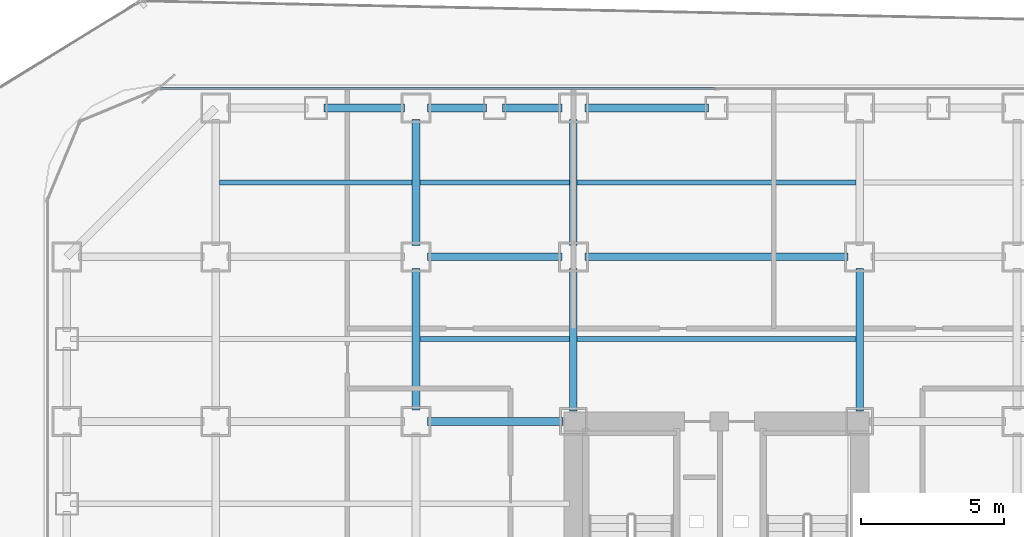
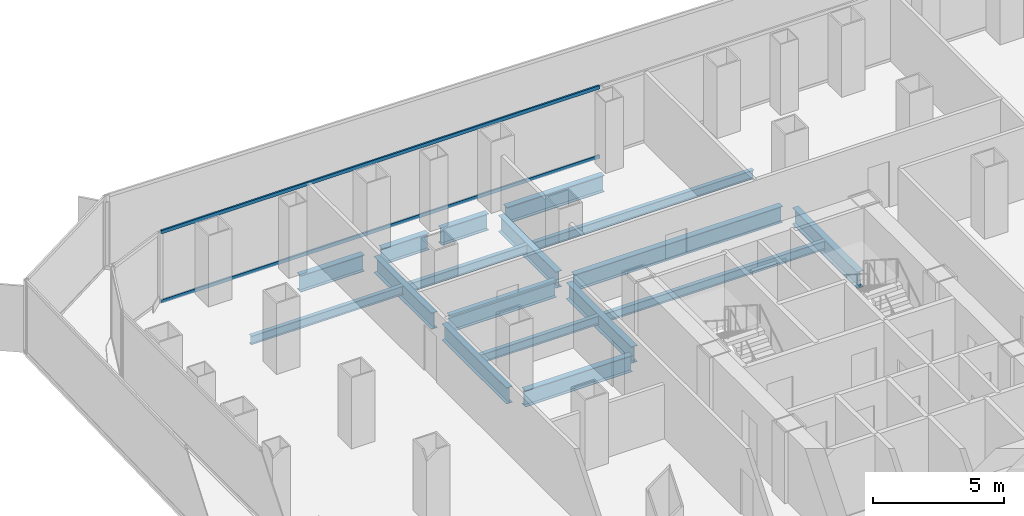
# One storey, part 12 of 21: 17 beams, 2 members, 1 element without a shape of its own.
"""IFC4 building model written with IfcOpenShell, lengths in metres."""

from ifc_helpers import new_model, si_unit, direction, frame, origin, origin_2d, place, context, subcontext, project, spatial, hollow_rectangle, i_section, extrude, source, transform, mapped, material, layer, layer_set, material_profile, profile_set, type_object, element, aggregate, save


model = new_model("IFC4")

# Units and contexts
model_context = context("Model", 3, precision=1e-05, world=origin(), true_north=direction((0.0, 1.0)))
body_context = subcontext(model_context, "Body", "Model", "MODEL_VIEW")
ifc_project = project(units=[si_unit("LENGTHUNIT", "METRE"), si_unit("AREAUNIT", "SQUARE_METRE"), si_unit("VOLUMEUNIT", "CUBIC_METRE"), si_unit("PLANEANGLEUNIT", "RADIAN"), si_unit("MASSUNIT", "GRAM", prefix="KILO")], contexts=[model_context])

# Site, building, storey
site_placement = place(None, origin())
site = spatial("IfcSite", under=ifc_project, at=site_placement, CompositionType="ELEMENT")
building_placement = place(site_placement, origin())
building = spatial("IfcBuilding", under=site, at=building_placement, Name="Kolveth Station Tower", CompositionType="ELEMENT")
storey_placement = place(building_placement, frame((0.0, 0.0, 44.10009765625)))
storey = spatial("IfcBuildingStorey", under=building, at=storey_placement, Name="L11", CompositionType="ELEMENT", Elevation=44.10009765625)

# Beams
ifc_material_1 = material(Name="Steel S355", Category="steel")
ifc_material_profile_1 = material_profile(ifc_material_1, i_section(OverallWidth=0.26904296875, OverallDepth=0.77490234375, WebThickness=0.01708984375, FlangeThickness=0.0283203125, at=origin_2d()), Name="W760x220")
ifc_profile_set_1 = profile_set([ifc_material_profile_1], Name="Steel S355")
beam_type_1 = type_object("IfcBeamType", Name="Beam_SP1", PredefinedType="SPANDREL", material=ifc_profile_set_1)
shared_shape_1 = source(origin(), body_context, "Body", "SweptSolid", [
    extrude(i_section(OverallWidth=0.26904296875, OverallDepth=0.77490234375, WebThickness=0.01708984375, FlangeThickness=0.0283203125, at=origin_2d()), origin(), (0.0, 0.0, 1.0), 2.820068359375),
])
beam_1_placement = place(storey_placement, frame((9.780029296875, 39.699951171875, -0.66748046875), z_axis=(1.0, 0.0, 0.0), x_axis=(0.0, 1.0, 0.0)))
element("IfcBeam", 1, at=beam_1_placement, inside=storey, type_object=beam_type_1, Name="L11 Perimeter Spandrel BM-L11-PN-2", PredefinedType="SPANDREL", context=body_context, shape_type="MappedRepresentation", body=[
    mapped(shared_shape_1, transform((0.0, 0.0, 0.0), x_axis=(1.0, 0.0, 0.0), y_axis=(0.0, 1.0, 0.0), z_axis=(0.0, 0.0, 1.0), scale=1.0)),
])
shared_shape_2 = source(origin(), body_context, "Body", "SweptSolid", [
    extrude(i_section(OverallWidth=0.26904296875, OverallDepth=0.77490234375, WebThickness=0.01708984375, FlangeThickness=0.0283203125, at=origin_2d()), origin(), (0.0, 0.0, 1.0), 2.070068359375),
])
for number, where, z_axis, x_axis, name in (
    (2, (13.39990234375, 39.699951171875, -0.66748046875), (1.0, 0.0, 0.0), (0.0, 1.0, 0.0), "L11 Perimeter Spandrel BM-L11-PN-3"),
    (3, (16.030029296875, 39.699951171875, -0.66748046875), (1.0, 0.0, 0.0), (0.0, 1.0, 0.0), "L11 Perimeter Spandrel BM-L11-PN-4"),
):
    element("IfcBeam", number, at=place(storey_placement, frame(where, z_axis=z_axis, x_axis=x_axis)), inside=storey, type_object=beam_type_1, Name=name, PredefinedType="SPANDREL", context=body_context, shape_type="MappedRepresentation", body=[
        mapped(shared_shape_2, transform((0.0, 0.0, 0.0), x_axis=(1.0, 0.0, 0.0), y_axis=(0.0, 1.0, 0.0), z_axis=(0.0, 0.0, 1.0), scale=1.0)),
    ])
shared_shape_3 = source(origin(), body_context, "Body", "SweptSolid", [
    extrude(i_section(OverallWidth=0.26904296875, OverallDepth=0.77490234375, WebThickness=0.01708984375, FlangeThickness=0.0283203125, at=origin_2d()), origin(), (0.0, 0.0, 1.0), 4.320068359375),
])
beam_2_placement = place(storey_placement, frame((18.89990234375, 39.699951171875, -0.66748046875), z_axis=(1.0, 0.0, 0.0), x_axis=(0.0, 1.0, 0.0)))
element("IfcBeam", 4, at=beam_2_placement, inside=storey, type_object=beam_type_1, Name="L11 Perimeter Spandrel BM-L11-PN-5", PredefinedType="SPANDREL", context=body_context, shape_type="MappedRepresentation", body=[
    mapped(shared_shape_3, transform((0.0, 0.0, 0.0), x_axis=(1.0, 0.0, 0.0), y_axis=(0.0, 1.0, 0.0), z_axis=(0.0, 0.0, 1.0), scale=1.0)),
])
ifc_material_profile_2 = material_profile(ifc_material_1, i_section(OverallWidth=0.26708984375, OverallDepth=0.76611328125, WebThickness=0.014892578125, FlangeThickness=0.023681640625, at=origin_2d()), Name="W760x185")
ifc_profile_set_2 = profile_set([ifc_material_profile_2], Name="Steel S355")
beam_type_2 = type_object("IfcBeamType", Name="Beam_B3", PredefinedType="BEAM", material=ifc_profile_set_2)
shared_shape_4 = source(origin(), body_context, "Body", "SweptSolid", [
    extrude(i_section(OverallWidth=0.26708984375, OverallDepth=0.76611328125, WebThickness=0.014892578125, FlangeThickness=0.023681640625, at=origin_2d()), origin(), (0.0, 0.0, 1.0), 4.400146484375),
])
for number, where, z_axis, x_axis, name in (
    (5, (13.0, 34.89990234375, -0.6630859375), (0.0, 1.0, 0.0), (-1.0, 0.0, 0.0), "L11 Primary Girder BM-L11-GX130-7"),
    (6, (18.5, 34.89990234375, -0.6630859375), (0.0, 1.0, 0.0), (-1.0, 0.0, 0.0), "L11 Primary Girder BM-L11-GX185-7"),
):
    element("IfcBeam", number, at=place(storey_placement, frame(where, z_axis=z_axis, x_axis=x_axis)), inside=storey, type_object=beam_type_2, Name=name, PredefinedType="BEAM", context=body_context, shape_type="MappedRepresentation", body=[
        mapped(shared_shape_4, transform((0.0, 0.0, 0.0), x_axis=(1.0, 0.0, 0.0), y_axis=(0.0, 1.0, 0.0), z_axis=(0.0, 0.0, 1.0), scale=1.0)),
    ])
shared_shape_5 = source(origin(), body_context, "Body", "SweptSolid", [
    extrude(i_section(OverallWidth=0.26708984375, OverallDepth=0.76611328125, WebThickness=0.014892578125, FlangeThickness=0.023681640625, at=origin_2d()), origin(), (0.0, 0.0, 1.0), 4.7001953125),
])
beam_3_placement = place(storey_placement, frame((13.39990234375, 34.5, -0.6630859375), z_axis=(1.0, 0.0, 0.0), x_axis=(0.0, 1.0, 0.0)))
element("IfcBeam", 7, at=beam_3_placement, inside=storey, type_object=beam_type_2, Name="L11 Primary Girder BM-L11-GY345-3", PredefinedType="BEAM", context=body_context, shape_type="MappedRepresentation", body=[
    mapped(shared_shape_5, transform((0.0, 0.0, 0.0), x_axis=(1.0, 0.0, 0.0), y_axis=(0.0, 1.0, 0.0), z_axis=(0.0, 0.0, 1.0), scale=1.0)),
])
shared_shape_6 = source(origin(), body_context, "Body", "SweptSolid", [
    extrude(i_section(OverallWidth=0.26708984375, OverallDepth=0.76611328125, WebThickness=0.014892578125, FlangeThickness=0.023681640625, at=origin_2d()), origin(), (0.0, 0.0, 1.0), 9.2001953125),
])
beam_4_placement = place(storey_placement, frame((18.89990234375, 34.5, -0.6630859375), z_axis=(1.0, 0.0, 0.0), x_axis=(0.0, 1.0, 0.0)))
element("IfcBeam", 8, at=beam_4_placement, inside=storey, type_object=beam_type_2, Name="L11 Primary Girder BM-L11-GY345-4", PredefinedType="BEAM", context=body_context, shape_type="MappedRepresentation", body=[
    mapped(shared_shape_6, transform((0.0, 0.0, 0.0), x_axis=(1.0, 0.0, 0.0), y_axis=(0.0, 1.0, 0.0), z_axis=(0.0, 0.0, 1.0), scale=1.0)),
])
shared_shape_7 = source(origin(), body_context, "Body", "SweptSolid", [
    extrude(i_section(OverallWidth=0.26708984375, OverallDepth=0.76611328125, WebThickness=0.014892578125, FlangeThickness=0.023681640625, at=origin_2d()), origin(), (0.0, 0.0, 1.0), 4.739990234375),
])
beam_5_placement = place(storey_placement, frame((13.39990234375, 28.75, -0.6630859375), z_axis=(1.0, 0.0, 0.0), x_axis=(0.0, 1.0, 0.0)))
element("IfcBeam", 9, at=beam_5_placement, inside=storey, type_object=beam_type_2, Name="L11 Primary Girder BM-L11-GY287-3", PredefinedType="BEAM", context=body_context, shape_type="MappedRepresentation", body=[
    mapped(shared_shape_7, transform((0.0, 0.0, 0.0), x_axis=(1.0, 0.0, 0.0), y_axis=(0.0, 1.0, 0.0), z_axis=(0.0, 0.0, 1.0), scale=1.0)),
])
shared_shape_8 = source(origin(), body_context, "Body", "SweptSolid", [
    extrude(i_section(OverallWidth=0.26708984375, OverallDepth=0.76611328125, WebThickness=0.014892578125, FlangeThickness=0.023681640625, at=origin_2d()), origin(), (0.0, 0.0, 1.0), 4.9501953125),
])
beam_6_placement = place(storey_placement, frame((13.0, 29.14990234375, -0.6630859375), z_axis=(0.0, 1.0, 0.0), x_axis=(-1.0, 0.0, 0.0)))
element("IfcBeam", 10, at=beam_6_placement, inside=storey, type_object=beam_type_2, Name="L11 Primary Girder BM-L11-GX130-6", PredefinedType="BEAM", context=body_context, shape_type="MappedRepresentation", body=[
    mapped(shared_shape_8, transform((0.0, 0.0, 0.0), x_axis=(1.0, 0.0, 0.0), y_axis=(0.0, 1.0, 0.0), z_axis=(0.0, 0.0, 1.0), scale=1.0)),
])
shared_shape_9 = source(origin(), body_context, "Body", "SweptSolid", [
    extrude(i_section(OverallWidth=0.26708984375, OverallDepth=0.76611328125, WebThickness=0.014892578125, FlangeThickness=0.023681640625, at=origin_2d()), origin(), (0.0, 0.0, 1.0), 4.989990234375),
])
for number, where, z_axis, x_axis, name in (
    (11, (18.5, 29.110107421875, -0.6630859375), (0.0, 1.0, 0.0), (-1.0, 0.0, 0.0), "L11 Primary Girder BM-L11-GX185-6"),
    (12, (28.5, 29.110107421875, -0.6630859375), (0.0, 1.0, 0.0), (-1.0, 0.0, 0.0), "L11 Primary Girder BM-L11-GX285-6"),
):
    element("IfcBeam", number, at=place(storey_placement, frame(where, z_axis=z_axis, x_axis=x_axis)), inside=storey, type_object=beam_type_2, Name=name, PredefinedType="BEAM", context=body_context, shape_type="MappedRepresentation", body=[
        mapped(shared_shape_9, transform((0.0, 0.0, 0.0), x_axis=(1.0, 0.0, 0.0), y_axis=(0.0, 1.0, 0.0), z_axis=(0.0, 0.0, 1.0), scale=1.0)),
    ])
ifc_material_profile_3 = material_profile(ifc_material_1, i_section(OverallWidth=0.177978515625, OverallDepth=0.406982421875, WebThickness=0.0078125, FlangeThickness=0.0126953125, at=origin_2d()), Name="W410x60")
ifc_profile_set_3 = profile_set([ifc_material_profile_3], Name="Steel S355")
beam_type_3 = type_object("IfcBeamType", Name="Beam_J1", PredefinedType="JOIST", material=ifc_profile_set_3)
shared_shape_10 = source(origin(), body_context, "Body", "SweptSolid", [
    extrude(i_section(OverallWidth=0.177978515625, OverallDepth=0.406982421875, WebThickness=0.0078125, FlangeThickness=0.0126953125, at=origin_2d()), origin(), (0.0, 0.0, 1.0), 6.73681640625),
])
beam_7_placement = place(storey_placement, frame((6.131591796875, 37.10009765625, -0.483642578125), z_axis=(1.0, 0.0, 0.0), x_axis=(0.0, 1.0, 0.0)))
element("IfcBeam", 13, at=beam_7_placement, inside=storey, type_object=beam_type_3, Name="L11 Secondary Joist JST-L11-2-7", PredefinedType="JOIST", context=body_context, shape_type="MappedRepresentation", body=[
    mapped(shared_shape_10, transform((0.0, 0.0, 0.0), x_axis=(1.0, 0.0, 0.0), y_axis=(0.0, 1.0, 0.0), z_axis=(0.0, 0.0, 1.0), scale=1.0)),
])
shared_shape_11 = source(origin(), body_context, "Body", "SweptSolid", [
    extrude(i_section(OverallWidth=0.177978515625, OverallDepth=0.406982421875, WebThickness=0.0078125, FlangeThickness=0.0126953125, at=origin_2d()), origin(), (0.0, 0.0, 1.0), 5.23681640625),
])
for number, where, z_axis, x_axis, name in (
    (14, (13.131591796875, 31.625, -0.483642578125), (1.0, 0.0, 0.0), (0.0, 1.0, 0.0), "L11 Secondary Joist JST-L11-3-6"),
    (15, (13.131591796875, 37.10009765625, -0.483642578125), (1.0, 0.0, 0.0), (0.0, 1.0, 0.0), "L11 Secondary Joist JST-L11-3-7"),
):
    element("IfcBeam", number, at=place(storey_placement, frame(where, z_axis=z_axis, x_axis=x_axis)), inside=storey, type_object=beam_type_3, Name=name, PredefinedType="JOIST", context=body_context, shape_type="MappedRepresentation", body=[
        mapped(shared_shape_11, transform((0.0, 0.0, 0.0), x_axis=(1.0, 0.0, 0.0), y_axis=(0.0, 1.0, 0.0), z_axis=(0.0, 0.0, 1.0), scale=1.0)),
    ])
shared_shape_12 = source(origin(), body_context, "Body", "SweptSolid", [
    extrude(i_section(OverallWidth=0.177978515625, OverallDepth=0.406982421875, WebThickness=0.0078125, FlangeThickness=0.0126953125, at=origin_2d()), origin(), (0.0, 0.0, 1.0), 9.73681640625),
])
for number, where, z_axis, x_axis, name in (
    (16, (18.631591796875, 31.625, -0.483642578125), (1.0, 0.0, 0.0), (0.0, 1.0, 0.0), "L11 Secondary Joist JST-L11-4-6"),
    (17, (18.631591796875, 37.10009765625, -0.483642578125), (1.0, 0.0, 0.0), (0.0, 1.0, 0.0), "L11 Secondary Joist JST-L11-4-7"),
):
    element("IfcBeam", number, at=place(storey_placement, frame(where, z_axis=z_axis, x_axis=x_axis)), inside=storey, type_object=beam_type_3, Name=name, PredefinedType="JOIST", context=body_context, shape_type="MappedRepresentation", body=[
        mapped(shared_shape_12, transform((0.0, 0.0, 0.0), x_axis=(1.0, 0.0, 0.0), y_axis=(0.0, 1.0, 0.0), z_axis=(0.0, 0.0, 1.0), scale=1.0)),
    ])

# Curtain wall, members
ifc_material_2 = material(Name="Aluminium 6063-T6 and low-E dark glass", Category="aluminium")
ifc_layer = layer(ifc_material_2, 0.179931640625)
ifc_layer_set = layer_set([ifc_layer], Name="Aluminium 6063-T6 and low-E dark glass")
curtain_wall_type = type_object("IfcCurtainWallType", Name="CurtainWall_CW-Z1", PredefinedType="NOTDEFINED", material=ifc_layer_set)
curtain_wall_placement = place(storey_placement, origin())
curtain_wall = element("IfcCurtainWall", 18, at=curtain_wall_placement, inside=storey, type_object=curtain_wall_type, Name="L11 Inner Thermal Curtain Wall 6", PredefinedType="NOTDEFINED")
ifc_material_3 = material(Name="Black anodized aluminium 6063-T6", Category="aluminium")
ifc_material_profile_4 = material_profile(ifc_material_3, hollow_rectangle(XDim=0.074951171875, YDim=0.159912109375, WallThickness=0.0048828125, at=origin_2d()), Name="ALU-75x160x5")
ifc_profile_set_4 = profile_set([ifc_material_profile_4], Name="Black anodized aluminium 6063-T6")
member_type = type_object("IfcMemberType", Name="Transom_TR1", PredefinedType="USERDEFINED", material=ifc_profile_set_4)
shared_shape_13 = source(origin(), body_context, "Body", "SweptSolid", [
    extrude(hollow_rectangle(XDim=0.074951171875, YDim=0.159912109375, WallThickness=0.0048828125, at=origin_2d()), origin(), (0.0, 0.0, 1.0), 19.387451171875),
])
member_1_placement = place(storey_placement, frame((23.46240234375, 40.3798828125, 0.037353515625), z_axis=(-1.0, 0.0, 0.0), x_axis=(0.0, -1.0, 0.0)))
member_1 = element("IfcMember", 19, at=member_1_placement, type_object=member_type, Name="CW-Z1 transom 2.1", ObjectType="TRANSOM", PredefinedType="USERDEFINED", context=body_context, shape_type="MappedRepresentation", body=[
    mapped(shared_shape_13, transform((0.0, 0.0, 0.0), x_axis=(1.0, 0.0, 0.0), y_axis=(0.0, 1.0, 0.0), z_axis=(0.0, 0.0, 1.0), scale=1.0)),
])
member_2_placement = place(storey_placement, frame((23.46240234375, 40.3798828125, 3.282470703125), z_axis=(-1.0, 0.0, 0.0), x_axis=(0.0, -1.0, 0.0)))
member_2 = element("IfcMember", 20, at=member_2_placement, type_object=member_type, Name="CW-Z1 transom 2.2", ObjectType="TRANSOM", PredefinedType="USERDEFINED", context=body_context, shape_type="MappedRepresentation", body=[
    mapped(shared_shape_13, transform((0.0, 0.0, 0.0), x_axis=(1.0, 0.0, 0.0), y_axis=(0.0, 1.0, 0.0), z_axis=(0.0, 0.0, 1.0), scale=1.0)),
])
aggregate(curtain_wall, [member_1, member_2])

save(model, "model.ifc")
